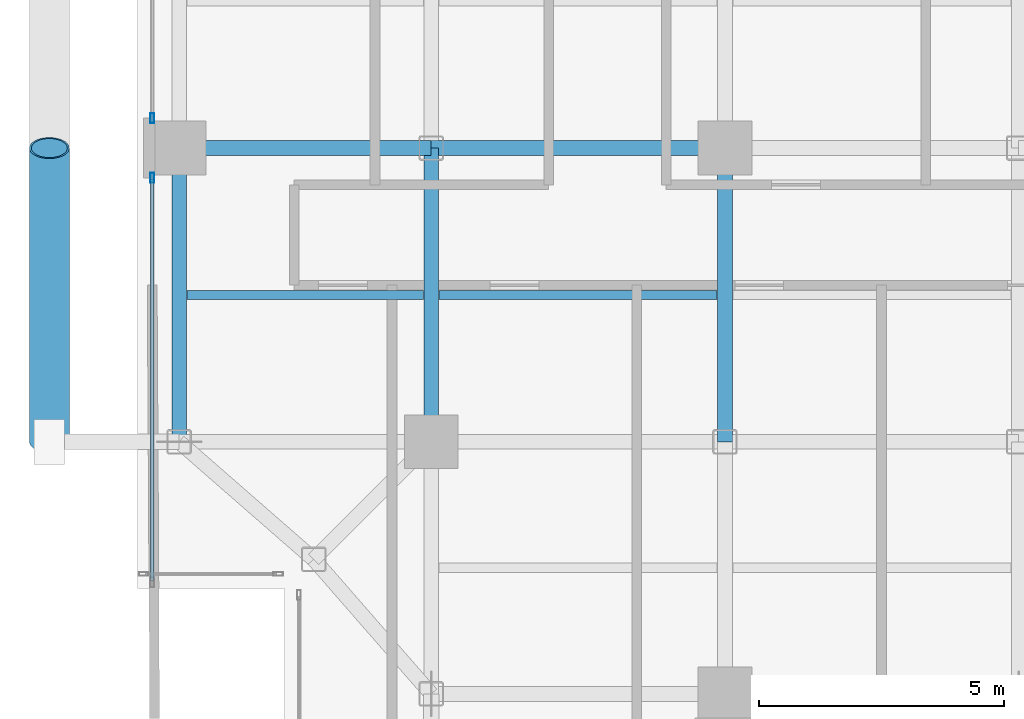
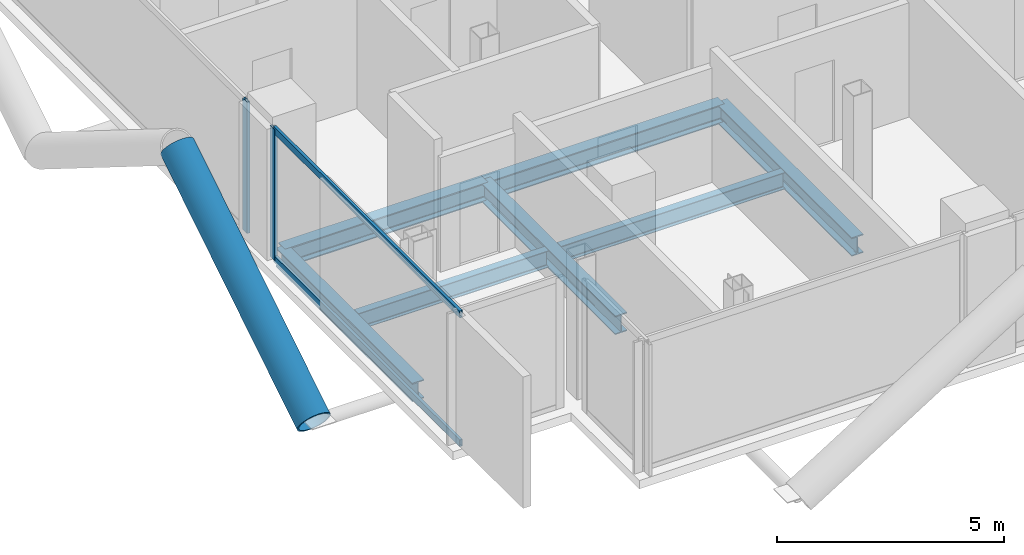
# One storey, part 3 of 28: 7 beams, 5 members, 2 elements without a shape of their own.
"""IFC4 building model written with IfcOpenShell, lengths in metres."""

from ifc_helpers import new_model, si_unit, direction, frame, origin, origin_2d, place, context, subcontext, project, spatial, hollow_rectangle, hollow_circle, i_section, extrude, material, layer, layer_set, material_profile, profile_set, type_object, element, aggregate, save


model = new_model("IFC4")

# Units and contexts
model_context = context("Model", 3, precision=1e-05, world=origin(), true_north=direction((0.0, 1.0)))
body_context = subcontext(model_context, "Body", "Model", "MODEL_VIEW")
ifc_project = project(units=[si_unit("LENGTHUNIT", "METRE"), si_unit("AREAUNIT", "SQUARE_METRE"), si_unit("VOLUMEUNIT", "CUBIC_METRE"), si_unit("PLANEANGLEUNIT", "RADIAN"), si_unit("MASSUNIT", "GRAM", prefix="KILO"), si_unit("THERMODYNAMICTEMPERATUREUNIT", "KELVIN"), si_unit("POWERUNIT", "WATT")], contexts=[model_context])

# Site, building, storey
site_placement = place(None, origin())
site = spatial("IfcSite", under=ifc_project, at=site_placement, CompositionType="ELEMENT")
building_placement = place(site_placement, origin())
building = spatial("IfcBuilding", under=site, at=building_placement, Name="Svarakhadi Broadcast Tower", CompositionType="ELEMENT")
storey_placement = place(building_placement, frame((0.0, 0.0, 119.39990234375)))
storey = spatial("IfcBuildingStorey", under=building, at=storey_placement, Name="L28", CompositionType="ELEMENT", Elevation=119.39990234375)

# Beams
ifc_material_1 = material(Name="Steel S355J2 (IS 2062 E350C)", Category="steel")
ifc_material_profile_1 = material_profile(ifc_material_1, i_section(OverallWidth=0.18994140625, OverallDepth=0.449951171875, WebThickness=0.009521484375, FlangeThickness=0.0146484375, FilletRadius=0.02099609375, at=origin_2d()), Name="NPB 450x190x78")
ifc_profile_set_1 = profile_set([ifc_material_profile_1], Name="Steel S355J2 (IS 2062 E350C)")
beam_type_1 = type_object("IfcBeamType", Name="Beam_NPB450", PredefinedType="BEAM", material=ifc_profile_set_1)
beam_1_placement = place(storey_placement, frame((1.010009765625, 9.0, -0.449951171875), z_axis=(1.0, 0.0, 0.0), x_axis=(0.0, 1.0, 0.0)))
element("IfcBeam", 1, at=beam_1_placement, inside=storey, type_object=beam_type_1, Name="L28 Secondary Composite Beam SB001", PredefinedType="BEAM", context=body_context, shape_type="SweptSolid", body=[
    extrude(i_section(OverallWidth=0.18994140625, OverallDepth=0.449951171875, WebThickness=0.009521484375, FlangeThickness=0.0146484375, FilletRadius=0.02099609375, at=origin_2d()), origin(), (0.0, 0.0, 1.0), 4.830078125),
])
beam_2_placement = place(storey_placement, frame((6.159912109375, 9.0, -0.449951171875), z_axis=(1.0, 0.0, 0.0), x_axis=(0.0, 1.0, 0.0)))
element("IfcBeam", 2, at=beam_2_placement, inside=storey, type_object=beam_type_1, Name="L28 Secondary Composite Beam SB007", PredefinedType="BEAM", context=body_context, shape_type="SweptSolid", body=[
    extrude(i_section(OverallWidth=0.18994140625, OverallDepth=0.449951171875, WebThickness=0.009521484375, FlangeThickness=0.0146484375, FilletRadius=0.02099609375, at=origin_2d()), origin(), (0.0, 0.0, 1.0), 5.68017578125),
])

# Curtain wall, member
ifc_material_2 = material(Name="Anodised Bronze Aluminium AA 6063-T6", Category="aluminium")
ifc_layer = layer(ifc_material_2, 0.199951171875)
ifc_layer_set = layer_set([ifc_layer], Name="Anodised Bronze Aluminium AA 6063-T6")
curtain_wall_type = type_object("IfcCurtainWallType", Name="CW_Sys_03", PredefinedType="NOTDEFINED", material=ifc_layer_set)
curtain_wall_1_placement = place(storey_placement, origin())
curtain_wall_1 = element("IfcCurtainWall", 3, at=curtain_wall_1_placement, inside=storey, type_object=curtain_wall_type, Name="L28 West Curtain Wall 02 Bay 1", PredefinedType="NOTDEFINED")
ifc_material_profile_2 = material_profile(ifc_material_2, hollow_rectangle(XDim=0.074951171875, YDim=0.199951171875, WallThickness=0.005615234375, at=origin_2d()), Name="ALU MULLION 200x75x6")
ifc_profile_set_2 = profile_set([ifc_material_profile_2], Name="Anodised Bronze Aluminium AA 6063-T6")
member_type_1 = type_object("IfcMemberType", Name="CW_Sys_03_Mul", PredefinedType="MULLION", material=ifc_profile_set_2)
member_1_placement = place(storey_placement, frame((0.300048828125, 11.392578125, 0.0), z_axis=(0.0, 0.0, 1.0), x_axis=(-1.0, 0.0, 0.0)))
member_1 = element("IfcMember", 4, at=member_1_placement, type_object=member_type_1, Name="CW-03 mullion 2", PredefinedType="MULLION", context=body_context, shape_type="SweptSolid", body=[
    extrude(hollow_rectangle(XDim=0.074951171875, YDim=0.199951171875, WallThickness=0.005615234375, at=origin_2d()), origin(), (0.0, 0.0, 1.0), 3.525146484375),
])

curtain_wall_2_placement = place(storey_placement, origin())
curtain_wall_2 = element("IfcCurtainWall", 5, at=curtain_wall_2_placement, inside=storey, type_object=curtain_wall_type, Name="L28 West Curtain Wall 02 Bay 2", PredefinedType="NOTDEFINED")
member_2_placement = place(storey_placement, frame((0.300048828125, 12.607421875, 0.0), z_axis=(0.0, 0.0, 1.0), x_axis=(-1.0, 0.0, 0.0)))
member_2 = element("IfcMember", 6, at=member_2_placement, type_object=member_type_1, Name="CW-03 mullion 1", PredefinedType="MULLION", context=body_context, shape_type="SweptSolid", body=[
    extrude(hollow_rectangle(XDim=0.074951171875, YDim=0.199951171875, WallThickness=0.005615234375, at=origin_2d()), origin(), (0.0, 0.0, 1.0), 3.525146484375),
])
aggregate(curtain_wall_2, [member_2])

# Member
ifc_material_profile_3 = material_profile(ifc_material_2, hollow_rectangle(XDim=0.070068359375, YDim=0.18505859375, WallThickness=0.0048828125, at=origin_2d()), Name="ALU TRANSOM 185x70x5")
ifc_profile_set_3 = profile_set([ifc_material_profile_3], Name="Anodised Bronze Aluminium AA 6063-T6")
member_type_2 = type_object("IfcMemberType", Name="CW_Sys_03_Trn", PredefinedType="USERDEFINED", material=ifc_profile_set_3)
member_3_placement = place(storey_placement, frame((0.300048828125, 3.1650390625, 0.03515625), z_axis=(0.0, 1.0, 0.0), x_axis=(-1.0, 0.0, 0.0)))
member_3 = element("IfcMember", 7, at=member_3_placement, type_object=member_type_2, Name="CW-03 transom 1.1", ObjectType="TRANSOM", PredefinedType="USERDEFINED", context=body_context, shape_type="SweptSolid", body=[
    extrude(hollow_rectangle(XDim=0.070068359375, YDim=0.18505859375, WallThickness=0.0048828125, at=origin_2d()), origin(), (0.0, 0.0, 1.0), 8.18994140625),
])

member_4_placement = place(storey_placement, frame((0.300048828125, 3.1650390625, 3.489990234375), z_axis=(0.0, 1.0, 0.0), x_axis=(-1.0, 0.0, 0.0)))
member_4 = element("IfcMember", 8, at=member_4_placement, type_object=member_type_2, Name="CW-03 transom 1.2", ObjectType="TRANSOM", PredefinedType="USERDEFINED", context=body_context, shape_type="SweptSolid", body=[
    extrude(hollow_rectangle(XDim=0.070068359375, YDim=0.18505859375, WallThickness=0.0048828125, at=origin_2d()), origin(), (0.0, 0.0, 1.0), 8.18994140625),
])

aggregate(curtain_wall_1, [member_1, member_3, member_4])

ifc_material_3 = material(Name="Steel S460ML (IS 2062 E450BR)", Category="steel")
ifc_material_profile_4 = material_profile(ifc_material_3, hollow_circle(Radius=0.406494140625, WallThickness=0.0400390625, at=origin_2d()), Name="CHS 813x40")
ifc_profile_set_4 = profile_set([ifc_material_profile_4], Name="Steel S460ML (IS 2062 E450BR)")
member_type_3 = type_object("IfcMemberType", Name="Exo_Brace_CHS813", PredefinedType="BRACE", material=ifc_profile_set_4)
member_5_placement = place(storey_placement, frame((-1.800048828125, 6.0, -0.386962890625), z_axis=(0.0, 0.847998304005, 0.529998940003), x_axis=(-1.0, 0.0, 0.0)))
element("IfcMember", 9, at=member_5_placement, inside=storey, type_object=member_type_3, Name="L28 Exposed Bronze Exoskeleton Diagonal W05", PredefinedType="BRACE", context=body_context, shape_type="SweptSolid", body=[
    extrude(hollow_circle(Radius=0.406494140625, WallThickness=0.0400390625, at=origin_2d()), origin(), (0.0, 0.0, 1.0), 7.075439453125),
])

# Beams
ifc_material_profile_5 = material_profile(ifc_material_1, i_section(OverallWidth=0.300048828125, OverallDepth=0.5, WebThickness=0.014404296875, FlangeThickness=0.028076171875, FilletRadius=0.027099609375, at=origin_2d()), Name="WPB 500x300x187")
ifc_profile_set_5 = profile_set([ifc_material_profile_5], Name="Steel S355J2 (IS 2062 E350C)")
beam_type_2 = type_object("IfcBeamType", Name="Girder_WPB500", PredefinedType="USERDEFINED", material=ifc_profile_set_5)
beam_3_placement = place(storey_placement, frame((0.85009765625, 12.0, -0.474853515625), z_axis=(1.0, 0.0, 0.0), x_axis=(0.0, 1.0, 0.0)))
element("IfcBeam", 10, at=beam_3_placement, inside=storey, type_object=beam_type_2, Name="L28 Primary E-W Girder G017", ObjectType="GIRDER", PredefinedType="USERDEFINED", context=body_context, shape_type="SweptSolid", body=[
    extrude(i_section(OverallWidth=0.300048828125, OverallDepth=0.5, WebThickness=0.014404296875, FlangeThickness=0.028076171875, FilletRadius=0.027099609375, at=origin_2d()), origin(), (0.0, 0.0, 1.0), 5.14990234375),
])
for number, where, z_axis, x_axis, name in (
    (11, (6.0, 12.0, -0.474853515625), (1.0, 0.0, 0.0), (0.0, 1.0, 0.0), "L28 Primary E-W Girder G018"),
    (12, (0.85009765625, 6.0, -0.474853515625), (0.0, 1.0, 0.0), (-1.0, 0.0, 0.0), "L28 Primary N-S Girder G040"),
    (13, (6.0, 6.0, -0.474853515625), (0.0, 1.0, 0.0), (-1.0, 0.0, 0.0), "L28 Primary N-S Girder G046"),
    (14, (12.0, 6.0, -0.474853515625), (0.0, 1.0, 0.0), (-1.0, 0.0, 0.0), "L28 Primary N-S Girder G052"),
):
    element("IfcBeam", number, at=place(storey_placement, frame(where, z_axis=z_axis, x_axis=x_axis)), inside=storey, type_object=beam_type_2, Name=name, ObjectType="GIRDER", PredefinedType="USERDEFINED", context=body_context, shape_type="SweptSolid", body=[
        extrude(i_section(OverallWidth=0.300048828125, OverallDepth=0.5, WebThickness=0.014404296875, FlangeThickness=0.028076171875, FilletRadius=0.027099609375, at=origin_2d()), origin(), (0.0, 0.0, 1.0), 6.0),
    ])

save(model, "model.ifc")
